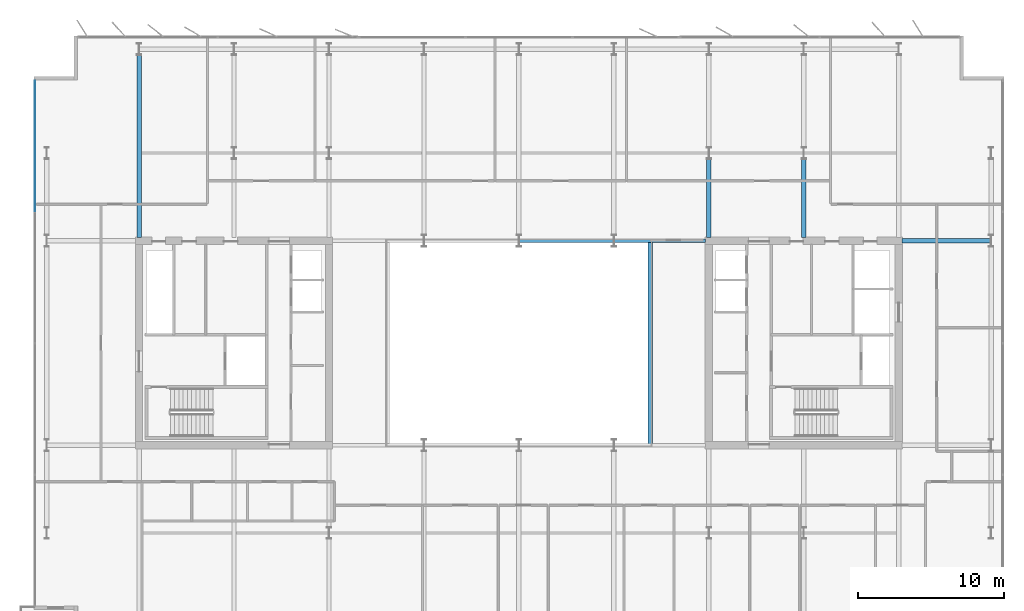
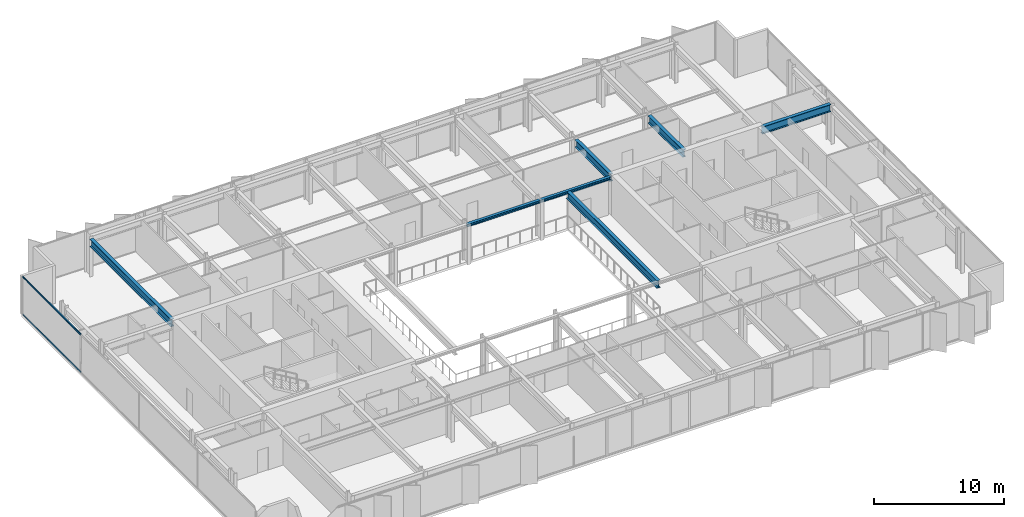
# One storey, part 9 of 24: 7 beams, 2 members, 1 element without a shape of its own.
"""IFC4 building model written with IfcOpenShell, lengths in metres."""

from ifc_helpers import new_model, si_unit, direction, frame, origin, origin_2d, place, context, subcontext, project, spatial, rectangle, i_section, extrude, material, layer, layer_set, material_profile, profile_set, type_object, element, aggregate, save


model = new_model("IFC4")

# Units and contexts
model_context = context("Model", 3, precision=1e-05, world=origin(), true_north=direction((0.0, 1.0)))
body_context = subcontext(model_context, "Body", "Model", "MODEL_VIEW")
ifc_project = project(units=[si_unit("LENGTHUNIT", "METRE"), si_unit("AREAUNIT", "SQUARE_METRE"), si_unit("VOLUMEUNIT", "CUBIC_METRE"), si_unit("PLANEANGLEUNIT", "RADIAN"), si_unit("MASSUNIT", "GRAM", prefix="KILO")], contexts=[model_context])

# Site, building, storey
site_placement = place(None, origin())
site = spatial("IfcSite", under=ifc_project, at=site_placement, CompositionType="ELEMENT")
building_placement = place(site_placement, origin())
building = spatial("IfcBuilding", under=site, at=building_placement, Name="Putna Gate Headquarters", CompositionType="ELEMENT")
storey_placement = place(building_placement, frame((0.0, 0.0, 236.60009765625)))
storey = spatial("IfcBuildingStorey", under=building, at=storey_placement, Name="L59", CompositionType="ELEMENT", Elevation=236.60009765625)

# Beams
ifc_material_1 = material(Name="Steel S355J2", Category="steel")
ifc_material_profile_1 = material_profile(ifc_material_1, i_section(OverallWidth=0.260009765625, OverallDepth=0.260009765625, WebThickness=0.010009765625, FlangeThickness=0.017578125, at=origin_2d()), Name="Steel S355J2")
ifc_profile_set_1 = profile_set([ifc_material_profile_1], Name="Steel S355J2")
beam_type_1 = type_object("IfcBeamType", Name="BM-ATRIUM-HEB260", PredefinedType="BEAM", material=ifc_profile_set_1)
beam_1_placement = place(storey_placement, frame((39.006103515625, 33.0, 3.449951171875), z_axis=(1.0, 0.0, 0.0), x_axis=(0.0, 1.0, 0.0)))
element("IfcBeam", 1, at=beam_1_placement, inside=storey, type_object=beam_type_1, Name="L59 Atrium Edge Beam AN3", PredefinedType="BEAM", context=body_context, shape_type="SweptSolid", body=[
    extrude(i_section(OverallWidth=0.260009765625, OverallDepth=0.260009765625, WebThickness=0.010009765625, FlangeThickness=0.017578125, at=origin_2d()), origin(), (0.0, 0.0, 1.0), 6.48779296875),
])
beam_2_placement = place(storey_placement, frame((45.506103515625, 33.0, 3.449951171875), z_axis=(1.0, 0.0, 0.0), x_axis=(0.0, 1.0, 0.0)))
element("IfcBeam", 2, at=beam_2_placement, inside=storey, type_object=beam_type_1, Name="L59 Atrium Edge Beam AN4", PredefinedType="BEAM", context=body_context, shape_type="SweptSolid", body=[
    extrude(i_section(OverallWidth=0.260009765625, OverallDepth=0.260009765625, WebThickness=0.010009765625, FlangeThickness=0.017578125, at=origin_2d()), origin(), (0.0, 0.0, 1.0), 6.2587890625),
])
ifc_material_profile_2 = material_profile(ifc_material_1, i_section(OverallWidth=0.300048828125, OverallDepth=0.699951171875, WebThickness=0.01708984375, FlangeThickness=0.031982421875, at=origin_2d()), Name="Steel S355J2")
ifc_profile_set_2 = profile_set([ifc_material_profile_2], Name="Steel S355J2")
beam_type_2 = type_object("IfcBeamType", Name="BM-GIRD-B-HEB700", PredefinedType="USERDEFINED", material=ifc_profile_set_2)
beam_3_placement = place(storey_placement, frame((65.235107421875, 33.0, 3.22998046875), z_axis=(1.0, 0.0, 0.0), x_axis=(0.0, 1.0, 0.0)))
element("IfcBeam", 3, at=beam_3_placement, inside=storey, type_object=beam_type_2, Name="L59 East Wing Girder Y33", ObjectType="GIRDER", PredefinedType="USERDEFINED", context=body_context, shape_type="SweptSolid", body=[
    extrude(i_section(OverallWidth=0.300048828125, OverallDepth=0.699951171875, WebThickness=0.01708984375, FlangeThickness=0.031982421875, at=origin_2d()), origin(), (0.0, 0.0, 1.0), 6.078857421875),
])
beam_4_placement = place(storey_placement, frame((13.0, 33.235107421875, 3.22998046875), z_axis=(0.0, 1.0, 0.0), x_axis=(-1.0, 0.0, 0.0)))
element("IfcBeam", 4, at=beam_4_placement, inside=storey, type_object=beam_type_2, Name="L59 North Primary Girder X13", ObjectType="GIRDER", PredefinedType="USERDEFINED", context=body_context, shape_type="SweptSolid", body=[
    extrude(i_section(OverallWidth=0.300048828125, OverallDepth=0.699951171875, WebThickness=0.01708984375, FlangeThickness=0.031982421875, at=origin_2d()), origin(), (0.0, 0.0, 1.0), 12.489990234375),
])
for number, where, z_axis, x_axis, name in (
    (5, (52.0, 33.235107421875, 3.22998046875), (0.0, 1.0, 0.0), (-1.0, 0.0, 0.0), "L59 North Primary Girder X52-1"),
    (6, (58.5, 33.235107421875, 3.22998046875), (0.0, 1.0, 0.0), (-1.0, 0.0, 0.0), "L59 North Primary Girder X58-1"),
):
    element("IfcBeam", number, at=place(storey_placement, frame(where, z_axis=z_axis, x_axis=x_axis)), inside=storey, type_object=beam_type_2, Name=name, ObjectType="GIRDER", PredefinedType="USERDEFINED", context=body_context, shape_type="SweptSolid", body=[
        extrude(i_section(OverallWidth=0.300048828125, OverallDepth=0.699951171875, WebThickness=0.01708984375, FlangeThickness=0.031982421875, at=origin_2d()), origin(), (0.0, 0.0, 1.0), 5.369873046875),
    ])
beam_5_placement = place(storey_placement, frame((48.0, 19.010009765625, 3.22998046875), z_axis=(0.0, 1.0, 0.0), x_axis=(-1.0, 0.0, 0.0)))
element("IfcBeam", 7, at=beam_5_placement, inside=storey, type_object=beam_type_2, Name="L59 Atrium Trim Girder AE", ObjectType="GIRDER", PredefinedType="USERDEFINED", context=body_context, shape_type="SweptSolid", body=[
    extrude(i_section(OverallWidth=0.300048828125, OverallDepth=0.699951171875, WebThickness=0.01708984375, FlangeThickness=0.031982421875, at=origin_2d()), origin(), (0.0, 0.0, 1.0), 13.97998046875),
])

# Curtain wall, members
ifc_material_2 = material(Name="Anodised bronze aluminium curtain wall", Category="aluminium")
ifc_layer = layer(ifc_material_2, 0.139892578125)
ifc_layer_set = layer_set([ifc_layer], Name="Anodised bronze aluminium curtain wall")
curtain_wall_type = type_object("IfcCurtainWallType", Name="CW-SYS-Z4", PredefinedType="USERDEFINED", material=ifc_layer_set)
curtain_wall_placement = place(storey_placement, origin())
curtain_wall = element("IfcCurtainWall", 8, at=curtain_wall_placement, inside=storey, type_object=curtain_wall_type, Name="L59 West Curtain Wall", ObjectType="STICK CURTAIN WALL", PredefinedType="USERDEFINED")
ifc_material_3 = material(Name="Anodised bronze aluminium EN AW-6060", Category="aluminium")
ifc_material_profile_3 = material_profile(ifc_material_3, rectangle(XDim=0.06005859375, YDim=0.10009765625, at=origin_2d()), Name="Anodised bronze aluminium EN AW-6060")
ifc_profile_set_3 = profile_set([ifc_material_profile_3], Name="Anodised bronze aluminium EN AW-6060")
member_type = type_object("IfcMemberType", Name="TRAN-CWT-4", PredefinedType="USERDEFINED", material=ifc_profile_set_3)
member_1_placement = place(storey_placement, frame((5.8798828125, 35.030029296875, 0.02978515625), z_axis=(0.0, 1.0, 0.0), x_axis=(-1.0, 0.0, 0.0)))
member_1 = element("IfcMember", 9, at=member_1_placement, type_object=member_type, Name="CWS-4 transom 4.1", ObjectType="TRANSOM", PredefinedType="USERDEFINED", context=body_context, shape_type="SweptSolid", body=[
    extrude(rectangle(XDim=0.06005859375, YDim=0.10009765625, at=origin_2d()), origin(), (0.0, 0.0, 1.0), 8.909912109375),
])
member_2_placement = place(storey_placement, frame((5.8798828125, 35.030029296875, 3.5498046875), z_axis=(0.0, 1.0, 0.0), x_axis=(-1.0, 0.0, 0.0)))
member_2 = element("IfcMember", 10, at=member_2_placement, type_object=member_type, Name="CWS-4 transom 4.2", ObjectType="TRANSOM", PredefinedType="USERDEFINED", context=body_context, shape_type="SweptSolid", body=[
    extrude(rectangle(XDim=0.06005859375, YDim=0.10009765625, at=origin_2d()), origin(), (0.0, 0.0, 1.0), 8.909912109375),
])
aggregate(curtain_wall, [member_1, member_2])

save(model, "model.ifc")
